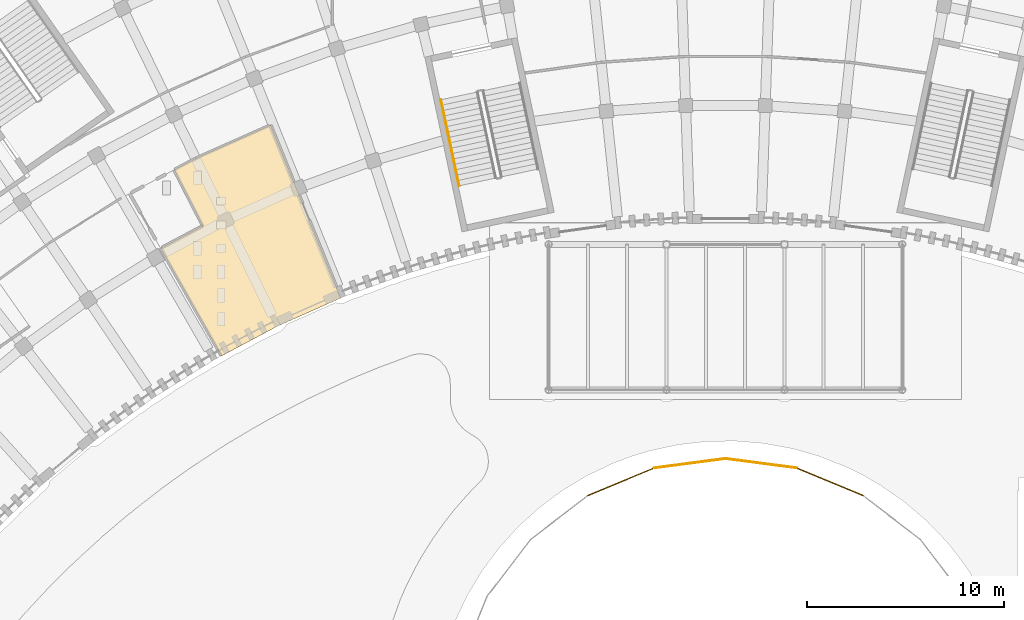
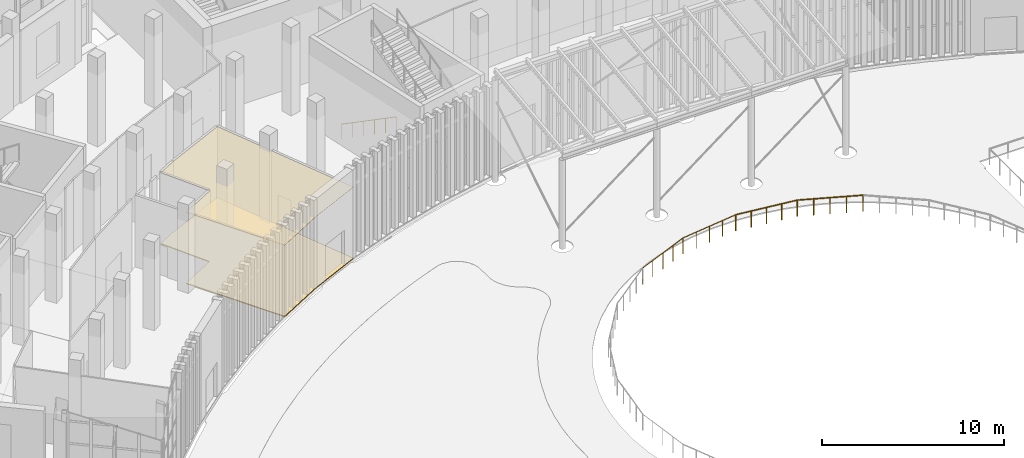
# One storey, part 122 of 155: 5 railings, 2 coverings.
"""IFC4 building model written with IfcOpenShell, lengths in metres."""

from ifc_helpers import new_model, si_unit, direction, frame, origin, origin_2d, place, context, subcontext, project, spatial, polyline, circle, outline, extrude, material, layer, layer_set, type_object, element, save


model = new_model("IFC4")

# Units and contexts
model_context = context("Model", 3, precision=1e-05, world=origin(), true_north=direction((0.0, 1.0)))
body_context = subcontext(model_context, "Body", "Model", "MODEL_VIEW")
ifc_project = project(units=[si_unit("LENGTHUNIT", "METRE"), si_unit("AREAUNIT", "SQUARE_METRE"), si_unit("VOLUMEUNIT", "CUBIC_METRE"), si_unit("PLANEANGLEUNIT", "RADIAN"), si_unit("MASSUNIT", "GRAM", prefix="KILO")], contexts=[model_context])

# Site, building, storey
site_placement = place(None, origin())
site = spatial("IfcSite", under=ifc_project, at=site_placement, CompositionType="ELEMENT")
building_placement = place(site_placement, origin())
building = spatial("IfcBuilding", under=site, at=building_placement, Name="Lunette Opera House", CompositionType="ELEMENT")
storey_placement = place(building_placement, origin())
storey = spatial("IfcBuildingStorey", under=building, at=storey_placement, Name="L00", CompositionType="ELEMENT", Elevation=0.0)

# Railings
ifc_material_1 = material(Name="Stainless steel", Category="steel")
railing_type_1 = type_object("IfcRailingType", Name="FORECOURT GUARD 1100", PredefinedType="GUARDRAIL", material=ifc_material_1)
railing_1_placement = place(storey_placement, frame((96.0, 40.0, 0.0)))
element("IfcRailing", 1, at=railing_1_placement, inside=storey, type_object=railing_type_1, Name="Forecourt guard CW01", PredefinedType="GUARDRAIL", context=body_context, shape_type="SweptSolid", body=[
    extrude(circle(Radius=0.02392578125, at=origin_2d()), frame((0.0, 0.0, 1.076171875), z_axis=(0.991442466905, -0.130544378729, 0.0), x_axis=(0.130544378729, 0.991442466905, 0.0)), (0.0, 0.0, 1.0), 3.654296875),
    extrude(circle(Radius=0.02099609375, at=origin_2d()), origin(), (0.0, 0.0, 1.0), 1.052001953125),
    extrude(circle(Radius=0.02099609375, at=origin_2d()), frame((0.90576171875, -0.119140625, 0.0)), (0.0, 0.0, 1.0), 1.052001953125),
    extrude(circle(Radius=0.02099609375, at=origin_2d()), frame((1.8115234375, -0.238525390625, 0.0)), (0.0, 0.0, 1.0), 1.052001953125),
    extrude(circle(Radius=0.02099609375, at=origin_2d()), frame((2.71728515625, -0.35791015625, 0.0)), (0.0, 0.0, 1.0), 1.052001953125),
    extrude(circle(Radius=0.02099609375, at=origin_2d()), frame((3.623046875, -0.47705078125, 0.0)), (0.0, 0.0, 1.0), 1.052001953125),
])
railing_2_placement = place(storey_placement, frame((99.623046875, 39.52294921875, 0.0)))
element("IfcRailing", 2, at=railing_2_placement, inside=storey, type_object=railing_type_1, Name="Forecourt guard CW02", PredefinedType="GUARDRAIL", context=body_context, shape_type="SweptSolid", body=[
    extrude(circle(Radius=0.02392578125, at=origin_2d()), frame((0.0, 0.0, 1.076171875), z_axis=(0.923865410288, -0.382717524649, 0.0), x_axis=(0.382717524649, 0.923865410288, 0.0)), (0.0, 0.0, 1.0), 3.6552734375),
    extrude(circle(Radius=0.02099609375, at=origin_2d()), origin(), (0.0, 0.0, 1.0), 1.052001953125),
    extrude(circle(Radius=0.02099609375, at=origin_2d()), frame((0.84423828125, -0.349609375, 0.0)), (0.0, 0.0, 1.0), 1.052001953125),
    extrude(circle(Radius=0.02099609375, at=origin_2d()), frame((1.6884765625, -0.699462890625, 0.0)), (0.0, 0.0, 1.0), 1.052001953125),
    extrude(circle(Radius=0.02099609375, at=origin_2d()), frame((2.53271484375, -1.04931640625, 0.0)), (0.0, 0.0, 1.0), 1.052001953125),
    extrude(circle(Radius=0.02099609375, at=origin_2d()), frame((3.376953125, -1.39892578125, 0.0)), (0.0, 0.0, 1.0), 1.052001953125),
])
railing_3_placement = place(storey_placement, frame((89.0, 38.1240234375, 0.0)))
element("IfcRailing", 3, at=railing_3_placement, inside=storey, type_object=railing_type_1, Name="Forecourt guard CW23", PredefinedType="GUARDRAIL", context=body_context, shape_type="SweptSolid", body=[
    extrude(circle(Radius=0.02392578125, at=origin_2d()), frame((0.0, 0.0, 1.076171875), z_axis=(0.923865410288, 0.382717524649, 0.0), x_axis=(-0.382717524649, 0.923865410288, 0.0)), (0.0, 0.0, 1.0), 3.6552734375),
    extrude(circle(Radius=0.02099609375, at=origin_2d()), origin(), (0.0, 0.0, 1.0), 1.052001953125),
    extrude(circle(Radius=0.02099609375, at=origin_2d()), frame((0.84423828125, 0.349609375, 0.0)), (0.0, 0.0, 1.0), 1.052001953125),
    extrude(circle(Radius=0.02099609375, at=origin_2d()), frame((1.6884765625, 0.699462890625, 0.0)), (0.0, 0.0, 1.0), 1.052001953125),
    extrude(circle(Radius=0.02099609375, at=origin_2d()), frame((2.53271484375, 1.04931640625, 0.0)), (0.0, 0.0, 1.0), 1.052001953125),
    extrude(circle(Radius=0.02099609375, at=origin_2d()), frame((3.376953125, 1.39892578125, 0.0)), (0.0, 0.0, 1.0), 1.052001953125),
])
railing_4_placement = place(storey_placement, frame((92.376953125, 39.52294921875, 0.0)))
element("IfcRailing", 4, at=railing_4_placement, inside=storey, type_object=railing_type_1, Name="Forecourt guard CW24", PredefinedType="GUARDRAIL", context=body_context, shape_type="SweptSolid", body=[
    extrude(circle(Radius=0.02392578125, at=origin_2d()), frame((0.0, 0.0, 1.076171875), z_axis=(0.991442466905, 0.130544378729, 0.0), x_axis=(-0.130544378729, 0.991442466905, 0.0)), (0.0, 0.0, 1.0), 3.654296875),
    extrude(circle(Radius=0.02099609375, at=origin_2d()), origin(), (0.0, 0.0, 1.0), 1.052001953125),
    extrude(circle(Radius=0.02099609375, at=origin_2d()), frame((0.90576171875, 0.119140625, 0.0)), (0.0, 0.0, 1.0), 1.052001953125),
    extrude(circle(Radius=0.02099609375, at=origin_2d()), frame((1.8115234375, 0.238525390625, 0.0)), (0.0, 0.0, 1.0), 1.052001953125),
    extrude(circle(Radius=0.02099609375, at=origin_2d()), frame((2.71728515625, 0.35791015625, 0.0)), (0.0, 0.0, 1.0), 1.052001953125),
    extrude(circle(Radius=0.02099609375, at=origin_2d()), frame((3.623046875, 0.47705078125, 0.0)), (0.0, 0.0, 1.0), 1.052001953125),
])
ifc_material_2 = material(Name="Steel S355", Category="steel")
railing_type_2 = type_object("IfcRailingType", Name="STAIR HANDRAIL 1000", PredefinedType="HANDRAIL", material=ifc_material_2)
railing_5_placement = place(storey_placement, frame((81.5205078125, 58.26318359375, 0.176513671875)))
element("IfcRailing", 5, at=railing_5_placement, inside=storey, type_object=railing_type_2, Name="L00 GS1 stair handrail 1", PredefinedType="HANDRAIL", context=body_context, shape_type="SweptSolid", body=[
    extrude(circle(Radius=0.02392578125, at=origin_2d()), frame((0.0, 0.0, 0.97607421875), z_axis=(0.175884897919, -0.827511935191, 0.533187115186), x_axis=(0.97814957038, 0.207902424146, 0.0)), (0.0, 0.0, 1.0), 5.29541015625),
    extrude(circle(Radius=0.02099609375, at=origin_2d()), origin(), (0.0, 0.0, 1.0), 0.951904296875),
    extrude(circle(Radius=0.02099609375, at=origin_2d()), frame((0.186279296875, -0.87646484375, 0.564697265625)), (0.0, 0.0, 1.0), 0.951904296875),
    extrude(circle(Radius=0.02099609375, at=origin_2d()), frame((0.37255859375, -1.7529296875, 1.12939453125)), (0.0, 0.0, 1.0), 0.951904296875),
    extrude(circle(Radius=0.02099609375, at=origin_2d()), frame((0.558837890625, -2.629150390625, 1.694091796875)), (0.0, 0.0, 1.0), 0.951904296875),
    extrude(circle(Radius=0.02099609375, at=origin_2d()), frame((0.7451171875, -3.505615234375, 2.2587890625)), (0.0, 0.0, 1.0), 0.951904296875),
    extrude(circle(Radius=0.02099609375, at=origin_2d()), frame((0.931396484375, -4.382080078125, 2.823486328125)), (0.0, 0.0, 1.0), 0.951904296875),
])

# Coverings
ifc_material_3 = material(Name="Mineral fibre board")
ifc_layer_1 = layer(ifc_material_3, 0.014892578125)
ifc_layer_set_1 = layer_set([ifc_layer_1], Name="Mineral fibre board")
covering_type_1 = type_object("IfcCoveringType", Name="SUSPENDED ACOUSTIC CEILING 15", PredefinedType="CEILING", material=ifc_layer_set_1)
covering_1_placement = place(storey_placement, frame((0.0, 0.0, 4.81494140625)))
element("IfcCovering", 6, at=covering_1_placement, inside=storey, type_object=covering_type_1, Name="Ceiling Public WC Foyer", PredefinedType="CEILING", context=body_context, shape_type="SweptSolid", body=[
    extrude(outline(polyline([(70.360107421875, 45.22509765625), (67.25390625, 50.7041015625), (69.404052734375, 51.846923828125), (67.944091796875, 54.693115234375), (69.0400390625, 55.27587890625), (72.85888671875, 56.97607421875), (76.43310546875, 48.175048828125), (74.52197265625, 47.323974609375), (73.205078125, 46.737060546875), (70.360107421875, 45.22509765625)])), origin(), (0.0, 0.0, 1.0), 0.01513671875),
])
ifc_material_4 = material(Name="Terrazzo")
ifc_layer_2 = layer(ifc_material_4, 0.06005859375)
ifc_layer_set_2 = layer_set([ifc_layer_2], Name="Terrazzo")
covering_type_2 = type_object("IfcCoveringType", Name="TERRAZZO FLOOR FINISH 60", PredefinedType="FLOORING", material=ifc_layer_set_2)
covering_2_placement = place(storey_placement, origin())
element("IfcCovering", 7, at=covering_2_placement, inside=storey, type_object=covering_type_2, Name="Floor finish Public WC Foyer", PredefinedType="FLOORING", context=body_context, shape_type="SweptSolid", body=[
    extrude(outline(polyline([(70.360107421875, 45.22509765625), (67.25390625, 50.7041015625), (69.404052734375, 51.846923828125), (67.944091796875, 54.693115234375), (69.0400390625, 55.27587890625), (72.85888671875, 56.97607421875), (76.43310546875, 48.175048828125), (74.52197265625, 47.323974609375), (73.205078125, 46.737060546875), (70.360107421875, 45.22509765625)])), origin(), (0.0, 0.0, 1.0), 0.06005859375),
])

save(model, "model.ifc")
